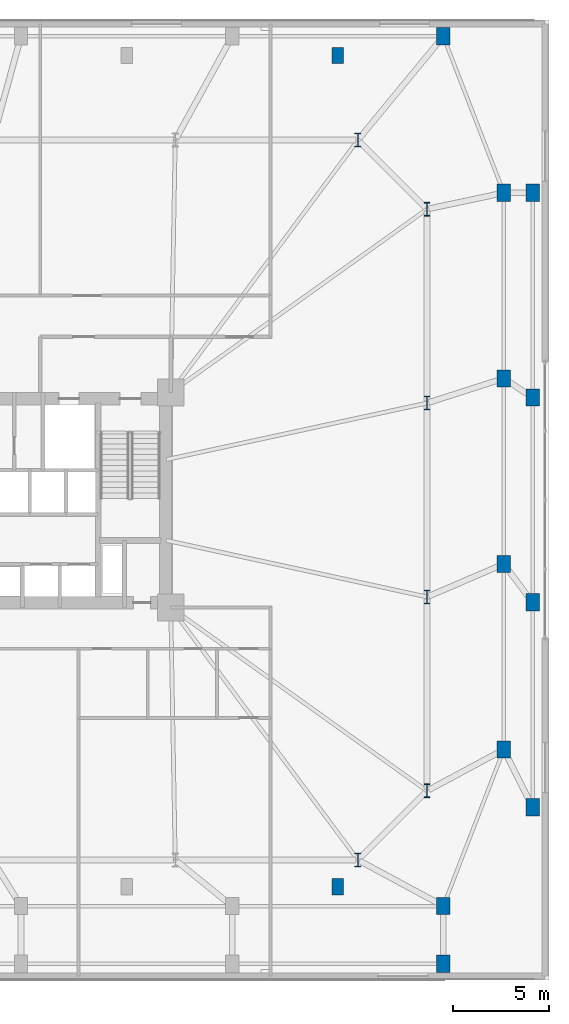
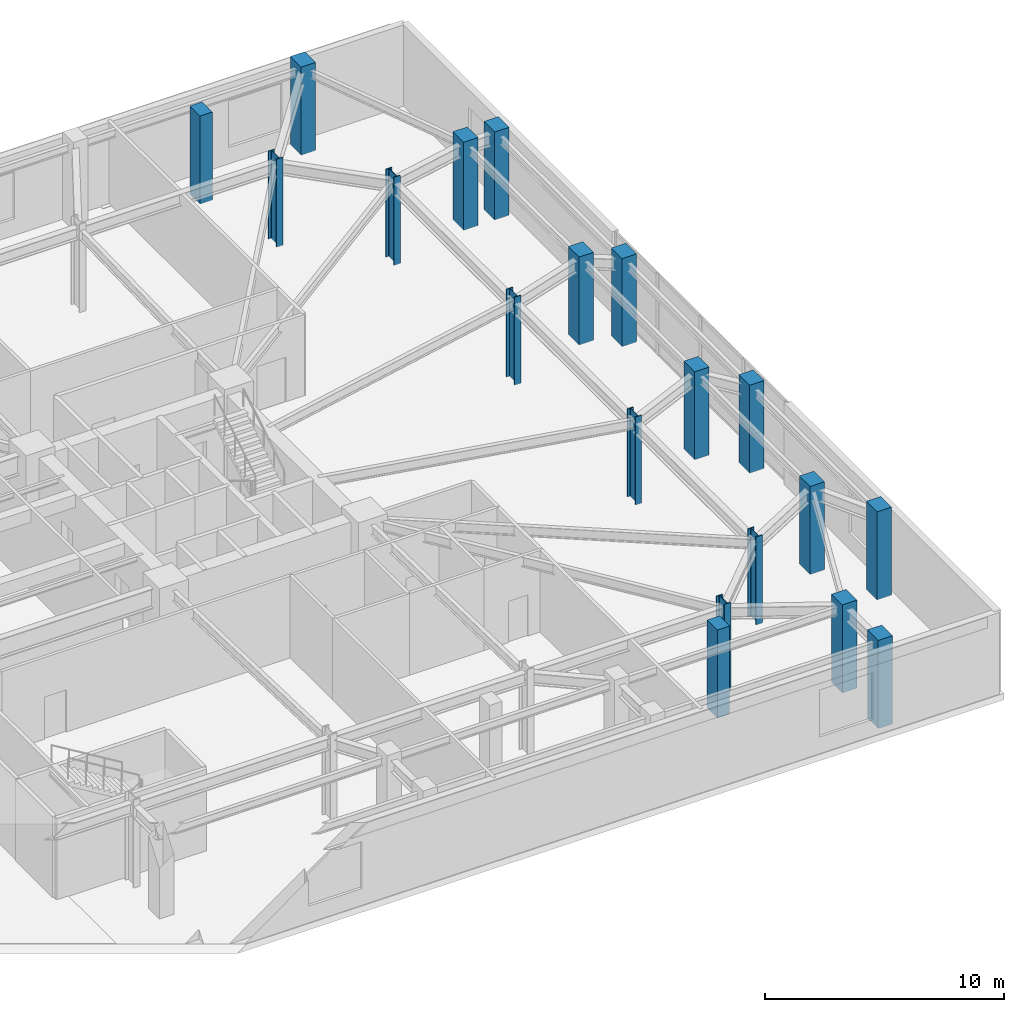
# One storey, part 3 of 23: 19 columns.
"""IFC4 building model written with IfcOpenShell, lengths in metres."""

from ifc_helpers import new_model, si_unit, direction, frame, origin, origin_2d, place, context, subcontext, project, spatial, rectangle, i_section, extrude, material, material_profile, profile_set, type_object, element, save


model = new_model("IFC4")

# Units and contexts
model_context = context("Model", 3, precision=1e-05, world=origin(), true_north=direction((0.0, 1.0)))
body_context = subcontext(model_context, "Body", "Model", "MODEL_VIEW")
ifc_project = project(units=[si_unit("LENGTHUNIT", "METRE"), si_unit("AREAUNIT", "SQUARE_METRE"), si_unit("VOLUMEUNIT", "CUBIC_METRE"), si_unit("PLANEANGLEUNIT", "RADIAN"), si_unit("MASSUNIT", "GRAM", prefix="KILO")], contexts=[model_context])

# Site, building, storey
site_placement = place(None, origin())
site = spatial("IfcSite", under=ifc_project, at=site_placement, CompositionType="ELEMENT")
building_placement = place(site_placement, origin())
building = spatial("IfcBuilding", under=site, at=building_placement, Name="Qobustan Lattice House", CompositionType="ELEMENT")
storey_placement = place(building_placement, frame((0.0, 0.0, 9.0)))
storey = spatial("IfcBuildingStorey", under=building, at=storey_placement, Name="L02", CompositionType="ELEMENT", Elevation=9.0)

# Columns
ifc_material_1 = material(Name="Concrete C50/60", Category="concrete")
ifc_material_profile_1 = material_profile(ifc_material_1, rectangle(XDim=0.60009765625, YDim=0.85009765625, at=origin_2d()), Name="RC600x850")
ifc_profile_set_1 = profile_set([ifc_material_profile_1], Name="Concrete C50/60")
column_type_1 = type_object("IfcColumnType", Name="COL-PIL-600x850", PredefinedType="PILASTER", material=ifc_profile_set_1)
for number, where, z_axis, x_axis, name in (
    (1, (27.5, -20.14990234375, 0.0), (0.0, 0.0, 1.0), (1.0, 0.0, 0.0), "L02 colonnade pilaster S4"),
    (2, (27.5, 23.14990234375, 0.0), (0.0, 0.0, 1.0), (1.0, 0.0, 0.0), "L02 colonnade pilaster N4"),
):
    element("IfcColumn", number, at=place(storey_placement, frame(where, z_axis=z_axis, x_axis=x_axis)), inside=storey, type_object=column_type_1, Name=name, PredefinedType="PILASTER", context=body_context, shape_type="SweptSolid", body=[
        extrude(rectangle(XDim=0.60009765625, YDim=0.85009765625, at=origin_2d()), origin(), (0.0, 0.0, 1.0), 4.5),
    ])
ifc_material_2 = material(Name="Concrete C50/60", Category="concrete")
ifc_material_profile_2 = material_profile(ifc_material_2, rectangle(XDim=0.699951171875, YDim=0.89990234375, at=origin_2d()), Name="RC700x900")
ifc_profile_set_2 = profile_set([ifc_material_profile_2], Name="Concrete C50/60")
column_type_2 = type_object("IfcColumnType", Name="COL-RC-700x900", PredefinedType="COLUMN", material=ifc_profile_set_2)
for number, where, z_axis, x_axis, name in (
    (3, (33.0, -21.14990234375, 0.0), (0.0, 0.0, 1.0), (1.0, 0.0, 0.0), "L02 podium column PS7"),
    (4, (33.0, 24.14990234375, 0.0), (0.0, 0.0, 1.0), (1.0, 0.0, 0.0), "L02 podium column PN7"),
    (5, (36.14990234375, -13.0, 0.0), (0.0, 0.0, 1.0), (1.0, 0.0, 0.0), "L02 podium column PE1"),
    (6, (36.14990234375, -3.333251953125, 0.0), (0.0, 0.0, 1.0), (1.0, 0.0, 0.0), "L02 podium column PE2"),
    (7, (36.14990234375, 6.33349609375, 0.0), (0.0, 0.0, 1.0), (1.0, 0.0, 0.0), "L02 podium column PE3"),
    (8, (36.14990234375, 16.0, 0.0), (0.0, 0.0, 1.0), (1.0, 0.0, 0.0), "L02 podium column PE4"),
    (9, (33.0, -24.14990234375, 0.0), (0.0, 0.0, 1.0), (1.0, 0.0, 0.0), "L02 lower podium perimeter column PSL7"),
    (10, (37.64990234375, -16.0, 0.0), (0.0, 0.0, 1.0), (1.0, 0.0, 0.0), "L02 lower podium perimeter column PEL1"),
    (11, (37.64990234375, -5.333251953125, 0.0), (0.0, 0.0, 1.0), (1.0, 0.0, 0.0), "L02 lower podium perimeter column PEL2"),
    (12, (37.64990234375, 5.33349609375, 0.0), (0.0, 0.0, 1.0), (1.0, 0.0, 0.0), "L02 lower podium perimeter column PEL3"),
    (13, (37.64990234375, 16.0, 0.0), (0.0, 0.0, 1.0), (1.0, 0.0, 0.0), "L02 lower podium perimeter column PEL4"),
):
    element("IfcColumn", number, at=place(storey_placement, frame(where, z_axis=z_axis, x_axis=x_axis)), inside=storey, type_object=column_type_2, Name=name, PredefinedType="COLUMN", context=body_context, shape_type="SweptSolid", body=[
        extrude(rectangle(XDim=0.699951171875, YDim=0.89990234375, at=origin_2d()), origin(), (0.0, 0.0, 1.0), 4.5),
    ])
ifc_material_3 = material(Name="Steel S460", Category="steel")
ifc_material_profile_3 = material_profile(ifc_material_3, i_section(OverallWidth=0.303955078125, OverallDepth=0.716064453125, WebThickness=0.02099609375, FlangeThickness=0.0400390625, FilletRadius=0.027099609375, at=origin_2d()), Name="HEM700")
ifc_profile_set_3 = profile_set([ifc_material_profile_3], Name="Steel S460")
column_type_3 = type_object("IfcColumnType", Name="COL-ST-HEM700", PredefinedType="COLUMN", material=ifc_profile_set_3)
for number, where, z_axis, x_axis, name in (
    (14, (28.550048828125, -18.75, 0.0), (0.0, 0.0, 1.0), (1.0, 0.0, 0.0), "L02 tower base column S7"),
    (15, (28.550048828125, 18.75, 0.0), (0.0, 0.0, 1.0), (1.0, 0.0, 0.0), "L02 tower base column N1"),
    (16, (32.14990234375, -15.14990234375, 0.0), (0.0, 0.0, 1.0), (1.0, 0.0, 0.0), "L02 tower base column E1"),
    (17, (32.14990234375, -5.050048828125, 0.0), (0.0, 0.0, 1.0), (1.0, 0.0, 0.0), "L02 tower base column E2"),
    (18, (32.14990234375, 5.050048828125, 0.0), (0.0, 0.0, 1.0), (1.0, 0.0, 0.0), "L02 tower base column E3"),
    (19, (32.14990234375, 15.14990234375, 0.0), (0.0, 0.0, 1.0), (1.0, 0.0, 0.0), "L02 tower base column E4"),
):
    element("IfcColumn", number, at=place(storey_placement, frame(where, z_axis=z_axis, x_axis=x_axis)), inside=storey, type_object=column_type_3, Name=name, PredefinedType="COLUMN", context=body_context, shape_type="SweptSolid", body=[
        extrude(i_section(OverallWidth=0.303955078125, OverallDepth=0.716064453125, WebThickness=0.02099609375, FlangeThickness=0.0400390625, FilletRadius=0.027099609375, at=origin_2d()), origin(), (0.0, 0.0, 1.0), 4.5),
    ])

save(model, "model.ifc")
